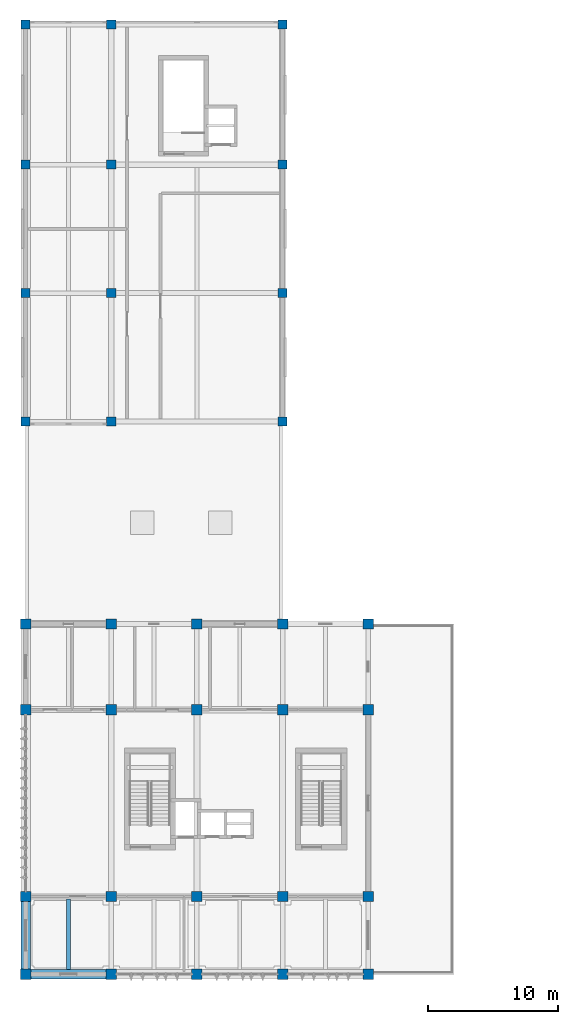
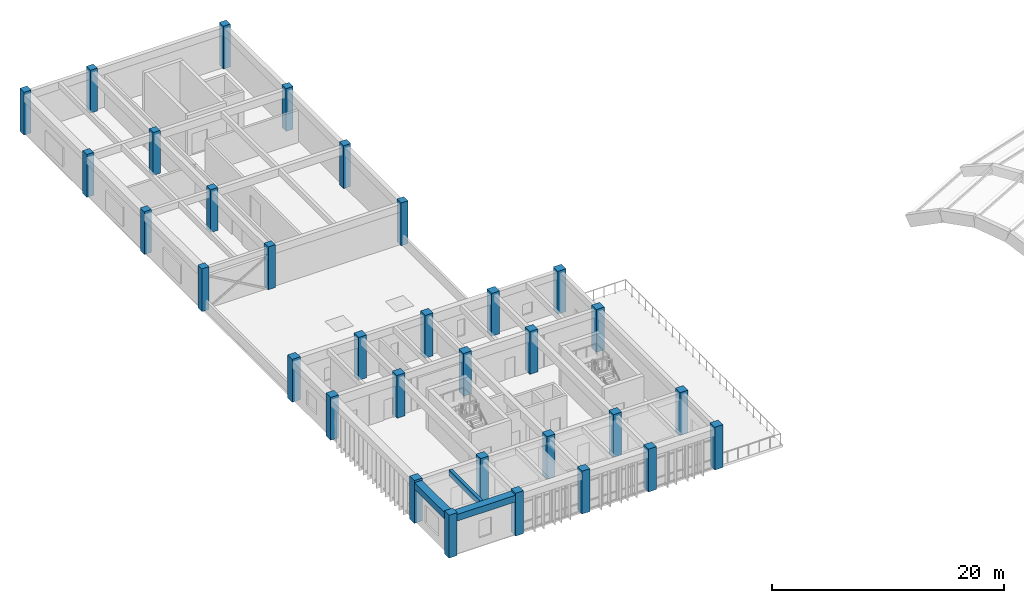
# One storey, part 1 of 18: 32 columns, 3 beams.
"""IFC4 building model written with IfcOpenShell, lengths in metres."""

from ifc_helpers import new_model, si_unit, direction, frame, origin, origin_2d, place, context, subcontext, project, spatial, rectangle, extrude, material, material_profile, profile_set, type_object, element, save


model = new_model("IFC4")

# Units and contexts
model_context = context("Model", 3, precision=1e-05, world=origin(), true_north=direction((0.0, 1.0)))
body_context = subcontext(model_context, "Body", "Model", "MODEL_VIEW")
ifc_project = project(units=[si_unit("LENGTHUNIT", "METRE"), si_unit("AREAUNIT", "SQUARE_METRE"), si_unit("VOLUMEUNIT", "CUBIC_METRE"), si_unit("PLANEANGLEUNIT", "RADIAN"), si_unit("MASSUNIT", "GRAM", prefix="KILO")], contexts=[model_context])

# Site, building, storey
site_placement = place(None, origin())
site = spatial("IfcSite", under=ifc_project, at=site_placement, CompositionType="ELEMENT")
building_placement = place(site_placement, origin())
building = spatial("IfcBuilding", under=site, at=building_placement, Name="Miralva Faculty of Natural Sciences", CompositionType="ELEMENT")
storey_placement = place(building_placement, frame((0.0, 0.0, 28.5)))
storey = spatial("IfcBuildingStorey", under=building, at=storey_placement, Name="L06", CompositionType="ELEMENT", Elevation=28.5)

# Columns
ifc_material = material(Name="Concrete C40/50", Category="concrete")
ifc_material_profile_1 = material_profile(ifc_material, rectangle(XDim=0.800048828125, YDim=0.800048828125, at=origin_2d()), Name="RC 800x800")
ifc_profile_set_1 = profile_set([ifc_material_profile_1], Name="Concrete C40/50")
column_type_1 = type_object("IfcColumnType", Name="COL-C05", PredefinedType="COLUMN", material=ifc_profile_set_1)
for number, where, z_axis, x_axis, name in (
    (1, (3.0, 3.0, 0.0), (0.0, 0.0, 1.0), (1.0, 0.0, 0.0), "Column CS-V5-1A L06"),
    (2, (3.0, 9.0, 0.0), (0.0, 0.0, 1.0), (1.0, 0.0, 0.0), "Column CS-V5-1B L06"),
    (3, (3.0, 23.39990234375, 0.0), (0.0, 0.0, 1.0), (1.0, 0.0, 0.0), "Column CS-V5-1C L06"),
    (4, (3.0, 30.0, 0.0), (0.0, 0.0, 1.0), (1.0, 0.0, 0.0), "Column CS-V5-1D L06"),
    (5, (9.60009765625, 3.0, 0.0), (0.0, 0.0, 1.0), (1.0, 0.0, 0.0), "Column CS-V5-2A L06"),
    (6, (9.60009765625, 9.0, 0.0), (0.0, 0.0, 1.0), (1.0, 0.0, 0.0), "Column CS-V5-2B L06"),
    (7, (9.60009765625, 23.39990234375, 0.0), (0.0, 0.0, 1.0), (1.0, 0.0, 0.0), "Column CS-V5-2C L06"),
    (8, (9.60009765625, 30.0, 0.0), (0.0, 0.0, 1.0), (1.0, 0.0, 0.0), "Column CS-V5-2D L06"),
    (9, (16.199951171875, 3.0, 0.0), (0.0, 0.0, 1.0), (1.0, 0.0, 0.0), "Column CS-V5-3A L06"),
    (10, (16.199951171875, 9.0, 0.0), (0.0, 0.0, 1.0), (1.0, 0.0, 0.0), "Column CS-V5-3B L06"),
    (11, (16.199951171875, 23.39990234375, 0.0), (0.0, 0.0, 1.0), (1.0, 0.0, 0.0), "Column CS-V5-3C L06"),
    (12, (16.199951171875, 30.0, 0.0), (0.0, 0.0, 1.0), (1.0, 0.0, 0.0), "Column CS-V5-3D L06"),
    (13, (22.800048828125, 3.0, 0.0), (0.0, 0.0, 1.0), (1.0, 0.0, 0.0), "Column CS-V5-4A L06"),
    (14, (22.800048828125, 9.0, 0.0), (0.0, 0.0, 1.0), (1.0, 0.0, 0.0), "Column CS-V5-4B L06"),
    (15, (22.800048828125, 23.39990234375, 0.0), (0.0, 0.0, 1.0), (1.0, 0.0, 0.0), "Column CS-V5-4C L06"),
    (16, (22.800048828125, 30.0, 0.0), (0.0, 0.0, 1.0), (1.0, 0.0, 0.0), "Column CS-V5-4D L06"),
    (17, (29.39990234375, 3.0, 0.0), (0.0, 0.0, 1.0), (1.0, 0.0, 0.0), "Column CS-V5-5A L06"),
    (18, (29.39990234375, 9.0, 0.0), (0.0, 0.0, 1.0), (1.0, 0.0, 0.0), "Column CS-V5-5B L06"),
    (19, (29.39990234375, 23.39990234375, 0.0), (0.0, 0.0, 1.0), (1.0, 0.0, 0.0), "Column CS-V5-5C L06"),
    (20, (29.39990234375, 30.0, 0.0), (0.0, 0.0, 1.0), (1.0, 0.0, 0.0), "Column CS-V5-5D L06"),
):
    element("IfcColumn", number, at=place(storey_placement, frame(where, z_axis=z_axis, x_axis=x_axis)), inside=storey, type_object=column_type_1, Name=name, PredefinedType="COLUMN", context=body_context, shape_type="SweptSolid", body=[
        extrude(rectangle(XDim=0.800048828125, YDim=0.800048828125, at=origin_2d()), origin(), (0.0, 0.0, 1.0), 4.5),
    ])
ifc_material_profile_2 = material_profile(ifc_material, rectangle(XDim=0.699951171875, YDim=0.699951171875, at=origin_2d()), Name="RC 700x700")
ifc_profile_set_2 = profile_set([ifc_material_profile_2], Name="Concrete C40/50")
column_type_2 = type_object("IfcColumnType", Name="COL-C07", PredefinedType="COLUMN", material=ifc_profile_set_2)
for number, where, z_axis, x_axis, name in (
    (21, (3.0, 45.60009765625, 0.0), (0.0, 0.0, 1.0), (1.0, 0.0, 0.0), "Column CS-V4W-1F L06"),
    (22, (3.0, 55.5, 0.0), (0.0, 0.0, 1.0), (1.0, 0.0, 0.0), "Column CS-V4W-1G L06"),
    (23, (3.0, 65.39990234375, 0.0), (0.0, 0.0, 1.0), (1.0, 0.0, 0.0), "Column CS-V4W-1H L06"),
    (24, (3.0, 76.199951171875, 0.0), (0.0, 0.0, 1.0), (1.0, 0.0, 0.0), "Column CS-V4W-1I L06"),
    (25, (9.60009765625, 45.60009765625, 0.0), (0.0, 0.0, 1.0), (1.0, 0.0, 0.0), "Column CS-V4W-2F L06"),
    (26, (9.60009765625, 55.5, 0.0), (0.0, 0.0, 1.0), (1.0, 0.0, 0.0), "Column CS-V4W-2G L06"),
    (27, (9.60009765625, 65.39990234375, 0.0), (0.0, 0.0, 1.0), (1.0, 0.0, 0.0), "Column CS-V4W-2H L06"),
    (28, (9.60009765625, 76.199951171875, 0.0), (0.0, 0.0, 1.0), (1.0, 0.0, 0.0), "Column CS-V4W-2I L06"),
    (29, (22.800048828125, 45.60009765625, 0.0), (0.0, 0.0, 1.0), (1.0, 0.0, 0.0), "Column CS-V4W-4F L06"),
    (30, (22.800048828125, 55.5, 0.0), (0.0, 0.0, 1.0), (1.0, 0.0, 0.0), "Column CS-V4W-4G L06"),
    (31, (22.800048828125, 65.39990234375, 0.0), (0.0, 0.0, 1.0), (1.0, 0.0, 0.0), "Column CS-V4W-4H L06"),
    (32, (22.800048828125, 76.199951171875, 0.0), (0.0, 0.0, 1.0), (1.0, 0.0, 0.0), "Column CS-V4W-4I L06"),
):
    element("IfcColumn", number, at=place(storey_placement, frame(where, z_axis=z_axis, x_axis=x_axis)), inside=storey, type_object=column_type_2, Name=name, PredefinedType="COLUMN", context=body_context, shape_type="SweptSolid", body=[
        extrude(rectangle(XDim=0.699951171875, YDim=0.699951171875, at=origin_2d()), origin(), (0.0, 0.0, 1.0), 4.5),
    ])

# Beams
ifc_material_profile_3 = material_profile(ifc_material, rectangle(XDim=0.300048828125, YDim=0.60009765625, at=origin_2d()), Name="RC 300x600")
ifc_profile_set_3 = profile_set([ifc_material_profile_3], Name="Concrete C40/50")
beam_type_1 = type_object("IfcBeamType", Name="BM-J01", PredefinedType="JOIST", material=ifc_profile_set_3)
beam_1_placement = place(storey_placement, frame((6.300048828125, 3.375, 3.97998046875), z_axis=(0.0, 1.0, 0.0), x_axis=(-1.0, 0.0, 0.0)))
element("IfcBeam", 33, at=beam_1_placement, inside=storey, type_object=beam_type_1, Name="Floor joist L06-1", PredefinedType="JOIST", context=body_context, shape_type="SweptSolid", body=[
    extrude(rectangle(XDim=0.300048828125, YDim=0.60009765625, at=origin_2d()), origin(), (0.0, 0.0, 1.0), 5.4150390625),
])
ifc_material_profile_4 = material_profile(ifc_material, rectangle(XDim=0.75, YDim=0.699951171875, at=origin_2d()), Name="RC 750x700")
ifc_profile_set_4 = profile_set([ifc_material_profile_4], Name="Concrete C40/50")
beam_type_2 = type_object("IfcBeamType", Name="BM-SP01", PredefinedType="SPANDREL", material=ifc_profile_set_4)
beam_2_placement = place(storey_placement, frame((3.39990234375, 3.0, 3.929931640625), z_axis=(1.0, 0.0, 0.0), x_axis=(0.0, 1.0, 0.0)))
element("IfcBeam", 34, at=beam_2_placement, inside=storey, type_object=beam_type_2, Name="Girder EW L06-1", PredefinedType="SPANDREL", context=body_context, shape_type="SweptSolid", body=[
    extrude(rectangle(XDim=0.75, YDim=0.699951171875, at=origin_2d()), origin(), (0.0, 0.0, 1.0), 5.800048828125),
])
beam_3_placement = place(storey_placement, frame((3.0, 3.39990234375, 3.929931640625), z_axis=(0.0, 1.0, 0.0), x_axis=(-1.0, 0.0, 0.0)))
element("IfcBeam", 35, at=beam_3_placement, inside=storey, type_object=beam_type_2, Name="Girder NS L06-25", PredefinedType="SPANDREL", context=body_context, shape_type="SweptSolid", body=[
    extrude(rectangle(XDim=0.75, YDim=0.699951171875, at=origin_2d()), origin(), (0.0, 0.0, 1.0), 5.2001953125),
])

save(model, "model.ifc")
